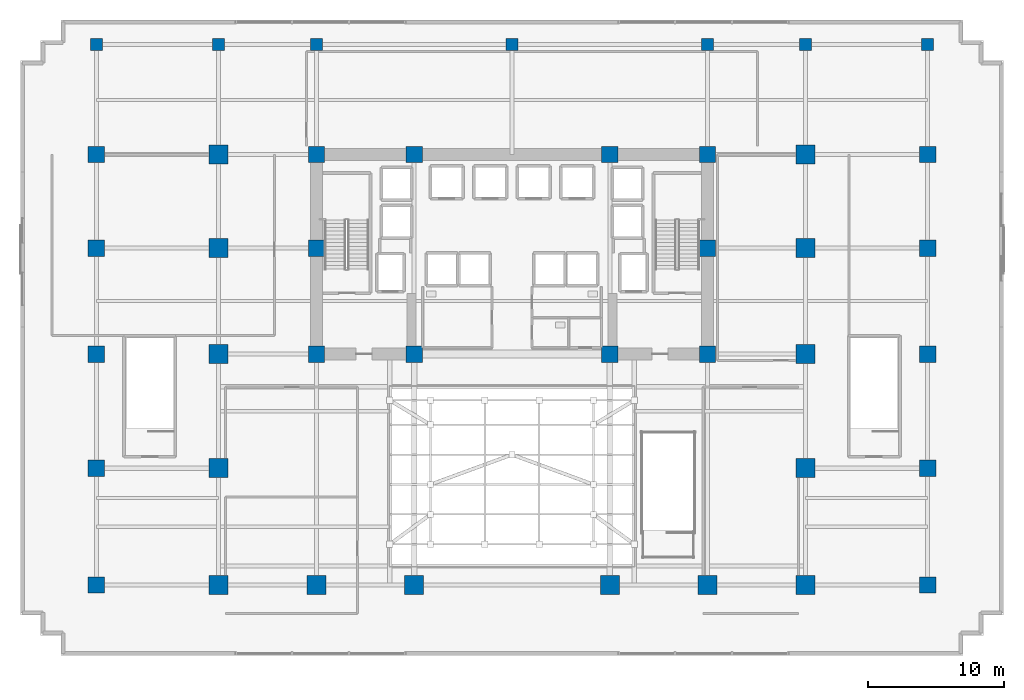
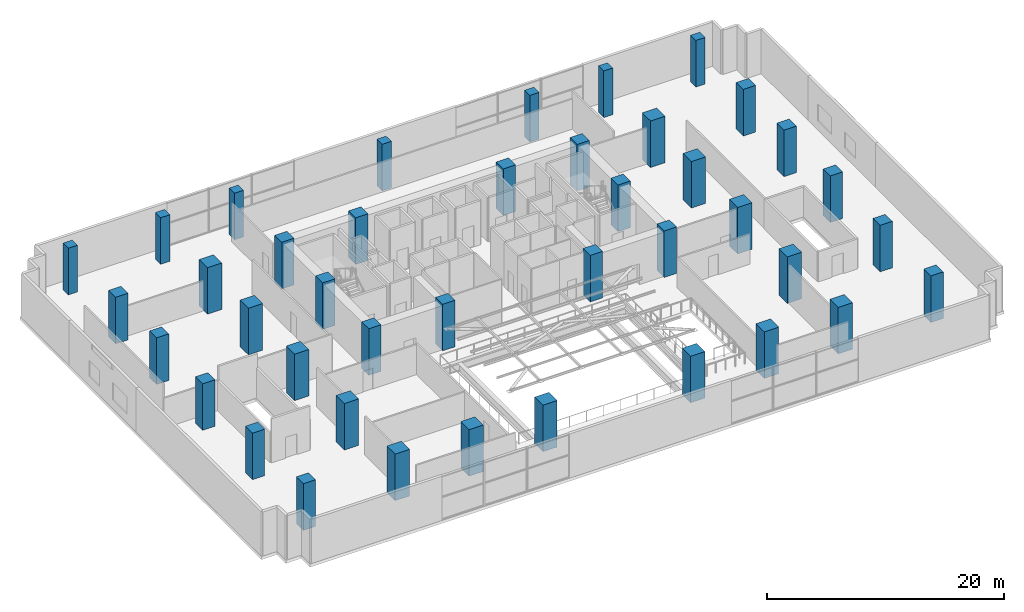
# One storey, part 1 of 22: 41 columns.
"""IFC4 building model written with IfcOpenShell, lengths in metres."""

from ifc_helpers import new_model, si_unit, direction, frame, origin, origin_2d, place, context, subcontext, project, spatial, rectangle, extrude, material, material_profile, profile_set, type_object, element, save


model = new_model("IFC4")

# Units and contexts
model_context = context("Model", 3, precision=1e-05, world=origin(), true_north=direction((0.0, 1.0)))
body_context = subcontext(model_context, "Body", "Model", "MODEL_VIEW")
ifc_project = project(units=[si_unit("LENGTHUNIT", "METRE"), si_unit("AREAUNIT", "SQUARE_METRE"), si_unit("VOLUMEUNIT", "CUBIC_METRE"), si_unit("PLANEANGLEUNIT", "RADIAN"), si_unit("MASSUNIT", "GRAM", prefix="KILO")], contexts=[model_context])

# Site, building, storey
site_placement = place(None, origin())
site = spatial("IfcSite", under=ifc_project, at=site_placement, CompositionType="ELEMENT")
building_placement = place(site_placement, origin())
building = spatial("IfcBuilding", under=site, at=building_placement, Name="Zarnakvel Exchange Tower", CompositionType="ELEMENT")
storey_placement = place(building_placement, frame((0.0, 0.0, 22.60009765625)))
storey = spatial("IfcBuildingStorey", under=building, at=storey_placement, Name="L05", CompositionType="ELEMENT", Elevation=22.60009765625)

# Columns
ifc_material_1 = material(Name="Concrete C80/95", Category="concrete")
ifc_material_profile_1 = material_profile(ifc_material_1, rectangle(XDim=1.199951171875, YDim=1.199951171875, at=origin_2d()))
ifc_profile_set_1 = profile_set([ifc_material_profile_1], Name="Concrete C80/95")
column_type_1 = type_object("IfcColumnType", Name="CC-01", PredefinedType="COLUMN", material=ifc_profile_set_1)
for number, where, z_axis, x_axis, name in (
    (1, (-14.39990234375, -1.199951171875, 0.0), (0.0, 0.0, 1.0), (1.0, 0.0, 0.0), "L05 Column C-4D (CC-01)"),
    (2, (-7.199951171875, -1.199951171875, 0.0), (0.0, 0.0, 1.0), (1.0, 0.0, 0.0), "L05 Column C-5D (CC-01)"),
    (3, (7.199951171875, -1.199951171875, 0.0), (0.0, 0.0, 1.0), (1.0, 0.0, 0.0), "L05 Column C-8D (CC-01)"),
    (4, (14.39990234375, -1.199951171875, 0.0), (0.0, 0.0, 1.0), (1.0, 0.0, 0.0), "L05 Column C-9D (CC-01)"),
    (5, (-14.39990234375, 6.60009765625, 0.0), (0.0, 0.0, 1.0), (1.0, 0.0, 0.0), "L05 Column C-4E (CC-01)"),
    (6, (14.39990234375, 6.60009765625, 0.0), (0.0, 0.0, 1.0), (1.0, 0.0, 0.0), "L05 Column C-9E (CC-01)"),
    (7, (-14.39990234375, 13.5, 0.0), (0.0, 0.0, 1.0), (1.0, 0.0, 0.0), "L05 Column C-4F (CC-01)"),
    (8, (-7.199951171875, 13.5, 0.0), (0.0, 0.0, 1.0), (1.0, 0.0, 0.0), "L05 Column C-5F (CC-01)"),
    (9, (7.199951171875, 13.5, 0.0), (0.0, 0.0, 1.0), (1.0, 0.0, 0.0), "L05 Column C-8F (CC-01)"),
    (10, (14.39990234375, 13.5, 0.0), (0.0, 0.0, 1.0), (1.0, 0.0, 0.0), "L05 Column C-9F (CC-01)"),
):
    element("IfcColumn", number, at=place(storey_placement, frame(where, z_axis=z_axis, x_axis=x_axis)), inside=storey, type_object=column_type_1, Name=name, PredefinedType="COLUMN", context=body_context, shape_type="SweptSolid", body=[
        extrude(rectangle(XDim=1.199951171875, YDim=1.199951171875, at=origin_2d()), origin(), (0.0, 0.0, 1.0), 4.7998046875),
    ])
ifc_material_profile_2 = material_profile(ifc_material_1, rectangle(XDim=1.39990234375, YDim=1.39990234375, at=origin_2d()))
ifc_profile_set_2 = profile_set([ifc_material_profile_2], Name="Concrete C80/95")
column_type_2 = type_object("IfcColumnType", Name="MC-02", PredefinedType="COLUMN", material=ifc_profile_set_2)
for number, where, z_axis, x_axis, name in (
    (11, (-21.60009765625, -18.199951171875, 0.0), (0.0, 0.0, 1.0), (1.0, 0.0, 0.0), "L05 Column M-3B (MC-02)"),
    (12, (-14.39990234375, -18.199951171875, 0.0), (0.0, 0.0, 1.0), (1.0, 0.0, 0.0), "L05 Column M-4B (MC-02)"),
    (13, (-7.199951171875, -18.199951171875, 0.0), (0.0, 0.0, 1.0), (1.0, 0.0, 0.0), "L05 Column M-5B (MC-02)"),
    (14, (7.199951171875, -18.199951171875, 0.0), (0.0, 0.0, 1.0), (1.0, 0.0, 0.0), "L05 Column M-8B (MC-02)"),
    (15, (14.39990234375, -18.199951171875, 0.0), (0.0, 0.0, 1.0), (1.0, 0.0, 0.0), "L05 Column M-9B (MC-02)"),
    (16, (21.60009765625, -18.199951171875, 0.0), (0.0, 0.0, 1.0), (1.0, 0.0, 0.0), "L05 Column M-10B (MC-02)"),
    (17, (-21.60009765625, -9.60009765625, 0.0), (0.0, 0.0, 1.0), (1.0, 0.0, 0.0), "L05 Column M-3C (MC-02)"),
    (18, (21.60009765625, -9.60009765625, 0.0), (0.0, 0.0, 1.0), (1.0, 0.0, 0.0), "L05 Column M-10C (MC-02)"),
    (19, (-21.60009765625, -1.199951171875, 0.0), (0.0, 0.0, 1.0), (1.0, 0.0, 0.0), "L05 Column M-3D (MC-02)"),
    (20, (21.60009765625, -1.199951171875, 0.0), (0.0, 0.0, 1.0), (1.0, 0.0, 0.0), "L05 Column M-10D (MC-02)"),
    (21, (-21.60009765625, 6.60009765625, 0.0), (0.0, 0.0, 1.0), (1.0, 0.0, 0.0), "L05 Column M-3E (MC-02)"),
    (22, (21.60009765625, 6.60009765625, 0.0), (0.0, 0.0, 1.0), (1.0, 0.0, 0.0), "L05 Column M-10E (MC-02)"),
    (23, (-21.60009765625, 13.5, 0.0), (0.0, 0.0, 1.0), (1.0, 0.0, 0.0), "L05 Column M-3F (MC-02)"),
    (24, (21.60009765625, 13.5, 0.0), (0.0, 0.0, 1.0), (1.0, 0.0, 0.0), "L05 Column M-10F (MC-02)"),
):
    element("IfcColumn", number, at=place(storey_placement, frame(where, z_axis=z_axis, x_axis=x_axis)), inside=storey, type_object=column_type_2, Name=name, PredefinedType="COLUMN", context=body_context, shape_type="SweptSolid", body=[
        extrude(rectangle(XDim=1.39990234375, YDim=1.39990234375, at=origin_2d()), origin(), (0.0, 0.0, 1.0), 4.7998046875),
    ])
ifc_material_profile_3 = material_profile(ifc_material_1, rectangle(XDim=1.199951171875, YDim=1.199951171875, at=origin_2d()))
ifc_profile_set_3 = profile_set([ifc_material_profile_3], Name="Concrete C80/95")
column_type_3 = type_object("IfcColumnType", Name="MC-03", PredefinedType="COLUMN", material=ifc_profile_set_3)
for number, where, z_axis, x_axis, name in (
    (25, (-30.60009765625, -18.199951171875, 0.0), (0.0, 0.0, 1.0), (1.0, 0.0, 0.0), "L05 Column W-2B (MC-03)"),
    (26, (-30.60009765625, -9.60009765625, 0.0), (0.0, 0.0, 1.0), (1.0, 0.0, 0.0), "L05 Column W-2C (MC-03)"),
    (27, (-30.60009765625, -1.199951171875, 0.0), (0.0, 0.0, 1.0), (1.0, 0.0, 0.0), "L05 Column W-2D (MC-03)"),
    (28, (-30.60009765625, 6.60009765625, 0.0), (0.0, 0.0, 1.0), (1.0, 0.0, 0.0), "L05 Column W-2E (MC-03)"),
    (29, (-30.60009765625, 13.5, 0.0), (0.0, 0.0, 1.0), (1.0, 0.0, 0.0), "L05 Column W-2F (MC-03)"),
    (30, (30.60009765625, -18.199951171875, 0.0), (0.0, 0.0, 1.0), (1.0, 0.0, 0.0), "L05 Column W-11B (MC-03)"),
    (31, (30.60009765625, -9.60009765625, 0.0), (0.0, 0.0, 1.0), (1.0, 0.0, 0.0), "L05 Column W-11C (MC-03)"),
    (32, (30.60009765625, -1.199951171875, 0.0), (0.0, 0.0, 1.0), (1.0, 0.0, 0.0), "L05 Column W-11D (MC-03)"),
    (33, (30.60009765625, 6.60009765625, 0.0), (0.0, 0.0, 1.0), (1.0, 0.0, 0.0), "L05 Column W-11E (MC-03)"),
    (34, (30.60009765625, 13.5, 0.0), (0.0, 0.0, 1.0), (1.0, 0.0, 0.0), "L05 Column W-11F (MC-03)"),
):
    element("IfcColumn", number, at=place(storey_placement, frame(where, z_axis=z_axis, x_axis=x_axis)), inside=storey, type_object=column_type_3, Name=name, PredefinedType="COLUMN", context=body_context, shape_type="SweptSolid", body=[
        extrude(rectangle(XDim=1.199951171875, YDim=1.199951171875, at=origin_2d()), origin(), (0.0, 0.0, 1.0), 4.7998046875),
    ])
ifc_material_2 = material(Name="Concrete C50/60", Category="concrete")
ifc_material_profile_4 = material_profile(ifc_material_2, rectangle(XDim=0.89990234375, YDim=0.89990234375, at=origin_2d()))
ifc_profile_set_4 = profile_set([ifc_material_profile_4], Name="Concrete C50/60")
column_type_4 = type_object("IfcColumnType", Name="MC-04", PredefinedType="COLUMN", material=ifc_profile_set_4)
for number, where, z_axis, x_axis, name in (
    (35, (-30.60009765625, 21.60009765625, 0.0), (0.0, 0.0, 1.0), (1.0, 0.0, 0.0), "L05 Column P-2G (MC-04)"),
    (36, (30.60009765625, 21.60009765625, 0.0), (0.0, 0.0, 1.0), (1.0, 0.0, 0.0), "L05 Column P-11G (MC-04)"),
    (37, (-21.60009765625, 21.60009765625, 0.0), (0.0, 0.0, 1.0), (1.0, 0.0, 0.0), "L05 Column P-3G (MC-04)"),
    (38, (21.60009765625, 21.60009765625, 0.0), (0.0, 0.0, 1.0), (1.0, 0.0, 0.0), "L05 Column P-10G (MC-04)"),
    (39, (-14.39990234375, 21.60009765625, 0.0), (0.0, 0.0, 1.0), (1.0, 0.0, 0.0), "L05 Column P-4G (MC-04)"),
    (40, (0.0, 21.60009765625, 0.0), (0.0, 0.0, 1.0), (1.0, 0.0, 0.0), "L05 Column P-65G (MC-04)"),
    (41, (14.39990234375, 21.60009765625, 0.0), (0.0, 0.0, 1.0), (1.0, 0.0, 0.0), "L05 Column P-9G (MC-04)"),
):
    element("IfcColumn", number, at=place(storey_placement, frame(where, z_axis=z_axis, x_axis=x_axis)), inside=storey, type_object=column_type_4, Name=name, PredefinedType="COLUMN", context=body_context, shape_type="SweptSolid", body=[
        extrude(rectangle(XDim=0.89990234375, YDim=0.89990234375, at=origin_2d()), origin(), (0.0, 0.0, 1.0), 4.7998046875),
    ])

save(model, "model.ifc")
